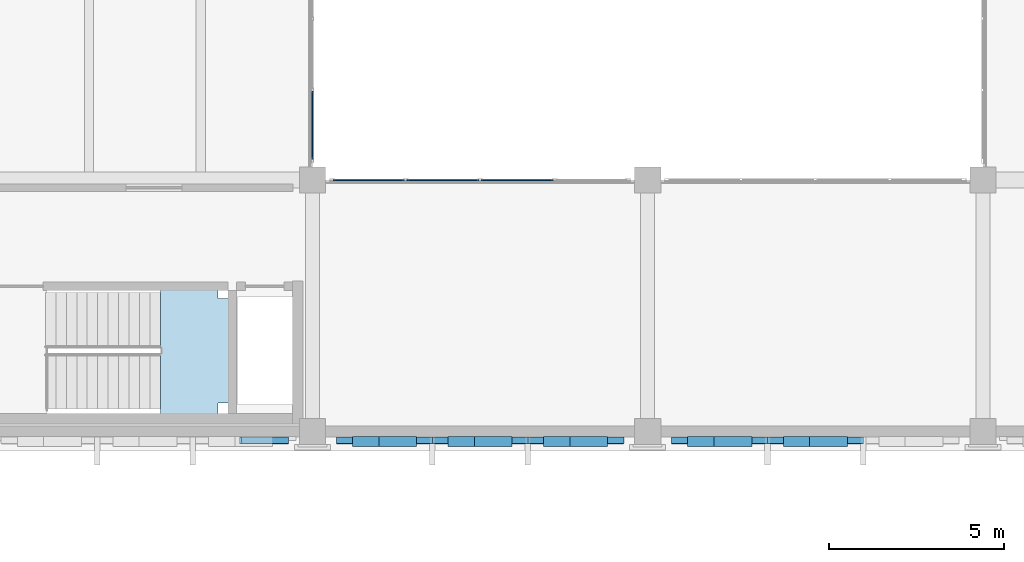
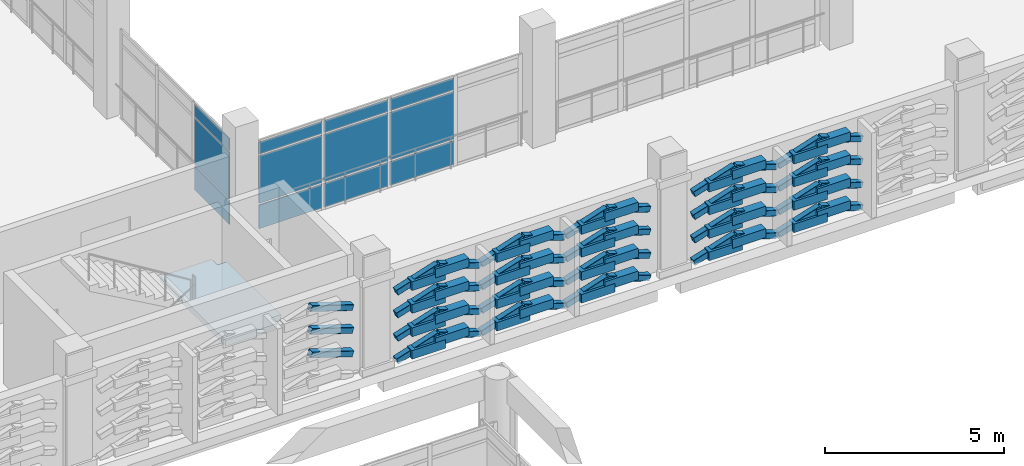
# One storey, part 133 of 180: 95 plates, 1 slab, 3 elements without a shape of their own.
"""IFC4 building model written with IfcOpenShell, lengths in metres."""

from ifc_helpers import new_model, si_unit, direction, frame, origin, origin_2d, place, context, subcontext, project, spatial, polyline, rectangle, hollow_rectangle, outline, extrude, material, layer, layer_set, material_profile, profile_set, type_object, element, aggregate, save


model = new_model("IFC4")

# Units and contexts
model_context = context("Model", 3, precision=1e-05, world=origin(), true_north=direction((0.0, 1.0)))
body_context = subcontext(model_context, "Body", "Model", "MODEL_VIEW")
ifc_project = project(units=[si_unit("LENGTHUNIT", "METRE"), si_unit("AREAUNIT", "SQUARE_METRE"), si_unit("VOLUMEUNIT", "CUBIC_METRE"), si_unit("PLANEANGLEUNIT", "RADIAN"), si_unit("MASSUNIT", "GRAM", prefix="KILO")], contexts=[model_context])

# Site, building, storey
site_placement = place(None, origin())
site = spatial("IfcSite", under=ifc_project, at=site_placement, CompositionType="ELEMENT")
building_placement = place(site_placement, origin())
building = spatial("IfcBuilding", under=site, at=building_placement, Name="Asteropetra Specialist Clinic", CompositionType="ELEMENT")
storey_placement = place(building_placement, frame((0.0, 0.0, 4.419921875)))
storey = spatial("IfcBuildingStorey", under=building, at=storey_placement, Name="L01", CompositionType="ELEMENT", Elevation=4.419921875)

# Plates
ifc_material_1 = material(Name="Chevron emerald aluminium 6063-T6", Category="aluminium")
ifc_material_profile = material_profile(ifc_material_1, hollow_rectangle(XDim=0.199951171875, YDim=0.199951171875, WallThickness=0.010009765625, InnerFilletRadius=0.008056640625, OuterFilletRadius=0.01611328125, at=origin_2d()), Name="SHS 200x200x10.0")
ifc_profile_set = profile_set([ifc_material_profile], Name="Chevron emerald aluminium 6063-T6")
plate_type_1 = type_object("IfcPlateType", Name="CHV-RIB-200", PredefinedType="SHEET", material=ifc_profile_set)
for number, where, z_axis, x_axis, name in (
    (1, (45.936767578125, 69.347900390625, 1.25146484375), (0.952426149832, 0.0, -0.304769468807), (0.0, 1.0, 0.0), "Chevron Facade Screen Fin CVR-0502"),
    (2, (45.936767578125, 69.347900390625, 2.051513671875), (0.952426149832, 0.0, -0.304769468807), (0.0, 1.0, 0.0), "Chevron Facade Screen Fin CVR-0504"),
    (3, (45.936767578125, 69.347900390625, 2.83154296875), (0.952426149832, 0.0, -0.304769468807), (0.0, 1.0, 0.0), "Chevron Facade Screen Fin CVR-0506"),
    (4, (48.715087890625, 69.347900390625, 0.050048828125), (0.952426149832, 0.0, 0.304769468807), (0.0, 1.0, 0.0), "Chevron Facade Screen Fin CVR-0523"),
):
    element("IfcPlate", number, at=place(storey_placement, frame(where, z_axis=z_axis, x_axis=x_axis)), inside=storey, type_object=plate_type_1, Name=name, PredefinedType="SHEET", context=body_context, shape_type="SweptSolid", body=[
        extrude(hollow_rectangle(XDim=0.199951171875, YDim=0.199951171875, WallThickness=0.010009765625, InnerFilletRadius=0.008056640625, OuterFilletRadius=0.01611328125, at=origin_2d()), origin(), (0.0, 0.0, 1.0), 1.41552734375),
    ])
plate_1_placement = place(storey_placement, frame((50.063232421875, 69.347900390625, 0.4814453125), z_axis=(0.95244216645, 0.0, -0.304719411211), x_axis=(0.0, 1.0, 0.0)))
element("IfcPlate", 5, at=plate_1_placement, inside=storey, type_object=plate_type_1, Name="Chevron Facade Screen Fin CVR-0524", PredefinedType="SHEET", context=body_context, shape_type="SweptSolid", body=[
    extrude(hollow_rectangle(XDim=0.199951171875, YDim=0.199951171875, WallThickness=0.010009765625, InnerFilletRadius=0.008056640625, OuterFilletRadius=0.01611328125, at=origin_2d()), origin(), (0.0, 0.0, 1.0), 1.415771484375),
])
plate_2_placement = place(storey_placement, frame((48.715087890625, 69.347900390625, 0.820068359375), z_axis=(0.952426149832, 0.0, 0.304769468807), x_axis=(0.0, 1.0, 0.0)))
element("IfcPlate", 6, at=plate_2_placement, inside=storey, type_object=plate_type_1, Name="Chevron Facade Screen Fin CVR-0525", PredefinedType="SHEET", context=body_context, shape_type="SweptSolid", body=[
    extrude(hollow_rectangle(XDim=0.199951171875, YDim=0.199951171875, WallThickness=0.010009765625, InnerFilletRadius=0.008056640625, OuterFilletRadius=0.01611328125, at=origin_2d()), origin(), (0.0, 0.0, 1.0), 1.41552734375),
])
plate_3_placement = place(storey_placement, frame((50.063232421875, 69.347900390625, 1.25146484375), z_axis=(0.95244216645, 0.0, -0.304719411211), x_axis=(0.0, 1.0, 0.0)))
element("IfcPlate", 7, at=plate_3_placement, inside=storey, type_object=plate_type_1, Name="Chevron Facade Screen Fin CVR-0526", PredefinedType="SHEET", context=body_context, shape_type="SweptSolid", body=[
    extrude(hollow_rectangle(XDim=0.199951171875, YDim=0.199951171875, WallThickness=0.010009765625, InnerFilletRadius=0.008056640625, OuterFilletRadius=0.01611328125, at=origin_2d()), origin(), (0.0, 0.0, 1.0), 1.415771484375),
])
plate_4_placement = place(storey_placement, frame((48.715087890625, 69.347900390625, 1.6201171875), z_axis=(0.952426149832, 0.0, 0.304769468807), x_axis=(0.0, 1.0, 0.0)))
element("IfcPlate", 8, at=plate_4_placement, inside=storey, type_object=plate_type_1, Name="Chevron Facade Screen Fin CVR-0527", PredefinedType="SHEET", context=body_context, shape_type="SweptSolid", body=[
    extrude(hollow_rectangle(XDim=0.199951171875, YDim=0.199951171875, WallThickness=0.010009765625, InnerFilletRadius=0.008056640625, OuterFilletRadius=0.01611328125, at=origin_2d()), origin(), (0.0, 0.0, 1.0), 1.41552734375),
])
plate_5_placement = place(storey_placement, frame((50.063232421875, 69.347900390625, 2.051513671875), z_axis=(0.95244216645, 0.0, -0.304719411211), x_axis=(0.0, 1.0, 0.0)))
element("IfcPlate", 9, at=plate_5_placement, inside=storey, type_object=plate_type_1, Name="Chevron Facade Screen Fin CVR-0528", PredefinedType="SHEET", context=body_context, shape_type="SweptSolid", body=[
    extrude(hollow_rectangle(XDim=0.199951171875, YDim=0.199951171875, WallThickness=0.010009765625, InnerFilletRadius=0.008056640625, OuterFilletRadius=0.01611328125, at=origin_2d()), origin(), (0.0, 0.0, 1.0), 1.415771484375),
])
plate_6_placement = place(storey_placement, frame((48.715087890625, 69.347900390625, 2.400146484375), z_axis=(0.952426149832, 0.0, 0.304769468807), x_axis=(0.0, 1.0, 0.0)))
element("IfcPlate", 10, at=plate_6_placement, inside=storey, type_object=plate_type_1, Name="Chevron Facade Screen Fin CVR-0529", PredefinedType="SHEET", context=body_context, shape_type="SweptSolid", body=[
    extrude(hollow_rectangle(XDim=0.199951171875, YDim=0.199951171875, WallThickness=0.010009765625, InnerFilletRadius=0.008056640625, OuterFilletRadius=0.01611328125, at=origin_2d()), origin(), (0.0, 0.0, 1.0), 1.41552734375),
])
for number, where, z_axis, x_axis, name in (
    (11, (50.063232421875, 69.347900390625, 2.83154296875), (0.95244216645, 0.0, -0.304719411211), (0.0, 1.0, 0.0), "Chevron Facade Screen Fin CVR-0530"),
    (12, (51.45166015625, 69.347900390625, 0.050048828125), (0.95244216645, 0.0, 0.304719411211), (0.0, 1.0, 0.0), "Chevron Facade Screen Fin CVR-0531"),
):
    element("IfcPlate", number, at=place(storey_placement, frame(where, z_axis=z_axis, x_axis=x_axis)), inside=storey, type_object=plate_type_1, Name=name, PredefinedType="SHEET", context=body_context, shape_type="SweptSolid", body=[
        extrude(hollow_rectangle(XDim=0.199951171875, YDim=0.199951171875, WallThickness=0.010009765625, InnerFilletRadius=0.008056640625, OuterFilletRadius=0.01611328125, at=origin_2d()), origin(), (0.0, 0.0, 1.0), 1.415771484375),
    ])
plate_7_placement = place(storey_placement, frame((52.800048828125, 69.347900390625, 0.4814453125), z_axis=(0.952426149832, 0.0, -0.304769468807), x_axis=(0.0, 1.0, 0.0)))
element("IfcPlate", 13, at=plate_7_placement, inside=storey, type_object=plate_type_1, Name="Chevron Facade Screen Fin CVR-0532", PredefinedType="SHEET", context=body_context, shape_type="SweptSolid", body=[
    extrude(hollow_rectangle(XDim=0.199951171875, YDim=0.199951171875, WallThickness=0.010009765625, InnerFilletRadius=0.008056640625, OuterFilletRadius=0.01611328125, at=origin_2d()), origin(), (0.0, 0.0, 1.0), 1.41552734375),
])
plate_8_placement = place(storey_placement, frame((51.45166015625, 69.347900390625, 0.820068359375), z_axis=(0.95244216645, 0.0, 0.304719411211), x_axis=(0.0, 1.0, 0.0)))
element("IfcPlate", 14, at=plate_8_placement, inside=storey, type_object=plate_type_1, Name="Chevron Facade Screen Fin CVR-0533", PredefinedType="SHEET", context=body_context, shape_type="SweptSolid", body=[
    extrude(hollow_rectangle(XDim=0.199951171875, YDim=0.199951171875, WallThickness=0.010009765625, InnerFilletRadius=0.008056640625, OuterFilletRadius=0.01611328125, at=origin_2d()), origin(), (0.0, 0.0, 1.0), 1.415771484375),
])
plate_9_placement = place(storey_placement, frame((52.800048828125, 69.347900390625, 1.25146484375), z_axis=(0.952426149832, 0.0, -0.304769468807), x_axis=(0.0, 1.0, 0.0)))
element("IfcPlate", 15, at=plate_9_placement, inside=storey, type_object=plate_type_1, Name="Chevron Facade Screen Fin CVR-0534", PredefinedType="SHEET", context=body_context, shape_type="SweptSolid", body=[
    extrude(hollow_rectangle(XDim=0.199951171875, YDim=0.199951171875, WallThickness=0.010009765625, InnerFilletRadius=0.008056640625, OuterFilletRadius=0.01611328125, at=origin_2d()), origin(), (0.0, 0.0, 1.0), 1.41552734375),
])
plate_10_placement = place(storey_placement, frame((51.45166015625, 69.347900390625, 1.6201171875), z_axis=(0.95244216645, 0.0, 0.304719411211), x_axis=(0.0, 1.0, 0.0)))
element("IfcPlate", 16, at=plate_10_placement, inside=storey, type_object=plate_type_1, Name="Chevron Facade Screen Fin CVR-0535", PredefinedType="SHEET", context=body_context, shape_type="SweptSolid", body=[
    extrude(hollow_rectangle(XDim=0.199951171875, YDim=0.199951171875, WallThickness=0.010009765625, InnerFilletRadius=0.008056640625, OuterFilletRadius=0.01611328125, at=origin_2d()), origin(), (0.0, 0.0, 1.0), 1.415771484375),
])
plate_11_placement = place(storey_placement, frame((52.800048828125, 69.347900390625, 2.051513671875), z_axis=(0.952426149832, 0.0, -0.304769468807), x_axis=(0.0, 1.0, 0.0)))
element("IfcPlate", 17, at=plate_11_placement, inside=storey, type_object=plate_type_1, Name="Chevron Facade Screen Fin CVR-0536", PredefinedType="SHEET", context=body_context, shape_type="SweptSolid", body=[
    extrude(hollow_rectangle(XDim=0.199951171875, YDim=0.199951171875, WallThickness=0.010009765625, InnerFilletRadius=0.008056640625, OuterFilletRadius=0.01611328125, at=origin_2d()), origin(), (0.0, 0.0, 1.0), 1.41552734375),
])
plate_12_placement = place(storey_placement, frame((51.45166015625, 69.347900390625, 2.400146484375), z_axis=(0.95244216645, 0.0, 0.304719411211), x_axis=(0.0, 1.0, 0.0)))
element("IfcPlate", 18, at=plate_12_placement, inside=storey, type_object=plate_type_1, Name="Chevron Facade Screen Fin CVR-0537", PredefinedType="SHEET", context=body_context, shape_type="SweptSolid", body=[
    extrude(hollow_rectangle(XDim=0.199951171875, YDim=0.199951171875, WallThickness=0.010009765625, InnerFilletRadius=0.008056640625, OuterFilletRadius=0.01611328125, at=origin_2d()), origin(), (0.0, 0.0, 1.0), 1.415771484375),
])
plate_13_placement = place(storey_placement, frame((52.800048828125, 69.347900390625, 2.83154296875), z_axis=(0.952426149832, 0.0, -0.304769468807), x_axis=(0.0, 1.0, 0.0)))
element("IfcPlate", 19, at=plate_13_placement, inside=storey, type_object=plate_type_1, Name="Chevron Facade Screen Fin CVR-0538", PredefinedType="SHEET", context=body_context, shape_type="SweptSolid", body=[
    extrude(hollow_rectangle(XDim=0.199951171875, YDim=0.199951171875, WallThickness=0.010009765625, InnerFilletRadius=0.008056640625, OuterFilletRadius=0.01611328125, at=origin_2d()), origin(), (0.0, 0.0, 1.0), 1.41552734375),
])
for number, where, z_axis, x_axis, name in (
    (20, (54.188232421875, 69.347900390625, 0.050048828125), (0.95244216645, 0.0, 0.304719411211), (0.0, 1.0, 0.0), "Chevron Facade Screen Fin CVR-0539"),
    (21, (55.53662109375, 69.347900390625, 0.4814453125), (0.95244216645, 0.0, -0.304719411211), (0.0, 1.0, 0.0), "Chevron Facade Screen Fin CVR-0540"),
    (22, (54.188232421875, 69.347900390625, 0.820068359375), (0.95244216645, 0.0, 0.304719411211), (0.0, 1.0, 0.0), "Chevron Facade Screen Fin CVR-0541"),
    (23, (55.53662109375, 69.347900390625, 1.25146484375), (0.95244216645, 0.0, -0.304719411211), (0.0, 1.0, 0.0), "Chevron Facade Screen Fin CVR-0542"),
    (24, (54.188232421875, 69.347900390625, 1.6201171875), (0.95244216645, 0.0, 0.304719411211), (0.0, 1.0, 0.0), "Chevron Facade Screen Fin CVR-0543"),
    (25, (55.53662109375, 69.347900390625, 2.051513671875), (0.95244216645, 0.0, -0.304719411211), (0.0, 1.0, 0.0), "Chevron Facade Screen Fin CVR-0544"),
    (26, (54.188232421875, 69.347900390625, 2.400146484375), (0.95244216645, 0.0, 0.304719411211), (0.0, 1.0, 0.0), "Chevron Facade Screen Fin CVR-0545"),
    (27, (55.53662109375, 69.347900390625, 2.83154296875), (0.95244216645, 0.0, -0.304719411211), (0.0, 1.0, 0.0), "Chevron Facade Screen Fin CVR-0546"),
    (28, (58.31494140625, 69.347900390625, 0.050048828125), (0.95244216645, 0.0, 0.304719411211), (0.0, 1.0, 0.0), "Chevron Facade Screen Fin CVR-0571"),
    (29, (59.663330078125, 69.347900390625, 0.4814453125), (0.95244216645, 0.0, -0.304719411211), (0.0, 1.0, 0.0), "Chevron Facade Screen Fin CVR-0572"),
    (30, (58.31494140625, 69.347900390625, 0.820068359375), (0.95244216645, 0.0, 0.304719411211), (0.0, 1.0, 0.0), "Chevron Facade Screen Fin CVR-0573"),
    (31, (59.663330078125, 69.347900390625, 1.25146484375), (0.95244216645, 0.0, -0.304719411211), (0.0, 1.0, 0.0), "Chevron Facade Screen Fin CVR-0574"),
    (32, (58.31494140625, 69.347900390625, 1.6201171875), (0.95244216645, 0.0, 0.304719411211), (0.0, 1.0, 0.0), "Chevron Facade Screen Fin CVR-0575"),
    (33, (59.663330078125, 69.347900390625, 2.051513671875), (0.95244216645, 0.0, -0.304719411211), (0.0, 1.0, 0.0), "Chevron Facade Screen Fin CVR-0576"),
    (34, (58.31494140625, 69.347900390625, 2.400146484375), (0.95244216645, 0.0, 0.304719411211), (0.0, 1.0, 0.0), "Chevron Facade Screen Fin CVR-0577"),
    (35, (59.663330078125, 69.347900390625, 2.83154296875), (0.95244216645, 0.0, -0.304719411211), (0.0, 1.0, 0.0), "Chevron Facade Screen Fin CVR-0578"),
):
    element("IfcPlate", number, at=place(storey_placement, frame(where, z_axis=z_axis, x_axis=x_axis)), inside=storey, type_object=plate_type_1, Name=name, PredefinedType="SHEET", context=body_context, shape_type="SweptSolid", body=[
        extrude(hollow_rectangle(XDim=0.199951171875, YDim=0.199951171875, WallThickness=0.010009765625, InnerFilletRadius=0.008056640625, OuterFilletRadius=0.01611328125, at=origin_2d()), origin(), (0.0, 0.0, 1.0), 1.415771484375),
    ])
plate_14_placement = place(storey_placement, frame((61.0517578125, 69.347900390625, 0.050048828125), z_axis=(0.952426149832, 0.0, 0.304769468807), x_axis=(0.0, 1.0, 0.0)))
element("IfcPlate", 36, at=plate_14_placement, inside=storey, type_object=plate_type_1, Name="Chevron Facade Screen Fin CVR-0579", PredefinedType="SHEET", context=body_context, shape_type="SweptSolid", body=[
    extrude(hollow_rectangle(XDim=0.199951171875, YDim=0.199951171875, WallThickness=0.010009765625, InnerFilletRadius=0.008056640625, OuterFilletRadius=0.01611328125, at=origin_2d()), origin(), (0.0, 0.0, 1.0), 1.41552734375),
])
plate_15_placement = place(storey_placement, frame((62.39990234375, 69.347900390625, 0.4814453125), z_axis=(0.95244216645, 0.0, -0.304719411211), x_axis=(0.0, 1.0, 0.0)))
element("IfcPlate", 37, at=plate_15_placement, inside=storey, type_object=plate_type_1, Name="Chevron Facade Screen Fin CVR-0580", PredefinedType="SHEET", context=body_context, shape_type="SweptSolid", body=[
    extrude(hollow_rectangle(XDim=0.199951171875, YDim=0.199951171875, WallThickness=0.010009765625, InnerFilletRadius=0.008056640625, OuterFilletRadius=0.01611328125, at=origin_2d()), origin(), (0.0, 0.0, 1.0), 1.415771484375),
])
plate_16_placement = place(storey_placement, frame((61.0517578125, 69.347900390625, 0.820068359375), z_axis=(0.952426149832, 0.0, 0.304769468807), x_axis=(0.0, 1.0, 0.0)))
element("IfcPlate", 38, at=plate_16_placement, inside=storey, type_object=plate_type_1, Name="Chevron Facade Screen Fin CVR-0581", PredefinedType="SHEET", context=body_context, shape_type="SweptSolid", body=[
    extrude(hollow_rectangle(XDim=0.199951171875, YDim=0.199951171875, WallThickness=0.010009765625, InnerFilletRadius=0.008056640625, OuterFilletRadius=0.01611328125, at=origin_2d()), origin(), (0.0, 0.0, 1.0), 1.41552734375),
])
plate_17_placement = place(storey_placement, frame((62.39990234375, 69.347900390625, 1.25146484375), z_axis=(0.95244216645, 0.0, -0.304719411211), x_axis=(0.0, 1.0, 0.0)))
element("IfcPlate", 39, at=plate_17_placement, inside=storey, type_object=plate_type_1, Name="Chevron Facade Screen Fin CVR-0582", PredefinedType="SHEET", context=body_context, shape_type="SweptSolid", body=[
    extrude(hollow_rectangle(XDim=0.199951171875, YDim=0.199951171875, WallThickness=0.010009765625, InnerFilletRadius=0.008056640625, OuterFilletRadius=0.01611328125, at=origin_2d()), origin(), (0.0, 0.0, 1.0), 1.415771484375),
])
plate_18_placement = place(storey_placement, frame((61.0517578125, 69.347900390625, 1.6201171875), z_axis=(0.952426149832, 0.0, 0.304769468807), x_axis=(0.0, 1.0, 0.0)))
element("IfcPlate", 40, at=plate_18_placement, inside=storey, type_object=plate_type_1, Name="Chevron Facade Screen Fin CVR-0583", PredefinedType="SHEET", context=body_context, shape_type="SweptSolid", body=[
    extrude(hollow_rectangle(XDim=0.199951171875, YDim=0.199951171875, WallThickness=0.010009765625, InnerFilletRadius=0.008056640625, OuterFilletRadius=0.01611328125, at=origin_2d()), origin(), (0.0, 0.0, 1.0), 1.41552734375),
])
plate_19_placement = place(storey_placement, frame((62.39990234375, 69.347900390625, 2.051513671875), z_axis=(0.95244216645, 0.0, -0.304719411211), x_axis=(0.0, 1.0, 0.0)))
element("IfcPlate", 41, at=plate_19_placement, inside=storey, type_object=plate_type_1, Name="Chevron Facade Screen Fin CVR-0584", PredefinedType="SHEET", context=body_context, shape_type="SweptSolid", body=[
    extrude(hollow_rectangle(XDim=0.199951171875, YDim=0.199951171875, WallThickness=0.010009765625, InnerFilletRadius=0.008056640625, OuterFilletRadius=0.01611328125, at=origin_2d()), origin(), (0.0, 0.0, 1.0), 1.415771484375),
])
plate_20_placement = place(storey_placement, frame((61.0517578125, 69.347900390625, 2.400146484375), z_axis=(0.952426149832, 0.0, 0.304769468807), x_axis=(0.0, 1.0, 0.0)))
element("IfcPlate", 42, at=plate_20_placement, inside=storey, type_object=plate_type_1, Name="Chevron Facade Screen Fin CVR-0585", PredefinedType="SHEET", context=body_context, shape_type="SweptSolid", body=[
    extrude(hollow_rectangle(XDim=0.199951171875, YDim=0.199951171875, WallThickness=0.010009765625, InnerFilletRadius=0.008056640625, OuterFilletRadius=0.01611328125, at=origin_2d()), origin(), (0.0, 0.0, 1.0), 1.41552734375),
])
plate_21_placement = place(storey_placement, frame((62.39990234375, 69.347900390625, 2.83154296875), z_axis=(0.95244216645, 0.0, -0.304719411211), x_axis=(0.0, 1.0, 0.0)))
element("IfcPlate", 43, at=plate_21_placement, inside=storey, type_object=plate_type_1, Name="Chevron Facade Screen Fin CVR-0586", PredefinedType="SHEET", context=body_context, shape_type="SweptSolid", body=[
    extrude(hollow_rectangle(XDim=0.199951171875, YDim=0.199951171875, WallThickness=0.010009765625, InnerFilletRadius=0.008056640625, OuterFilletRadius=0.01611328125, at=origin_2d()), origin(), (0.0, 0.0, 1.0), 1.415771484375),
])

# Curtain wall, plates
ifc_material_2 = material(Name="Aluminium and low-E glass", Category="aluminium")
ifc_layer_1 = layer(ifc_material_2, 0.135009765625)
ifc_layer_set_1 = layer_set([ifc_layer_1], Name="Aluminium and low-E glass")
curtain_wall_type_1 = type_object("IfcCurtainWallType", Name="CW-SYS-03", PredefinedType="USERDEFINED", material=ifc_layer_set_1)
curtain_wall_1_placement = place(storey_placement, origin())
curtain_wall_1 = element("IfcCurtainWall", 44, at=curtain_wall_1_placement, inside=storey, type_object=curtain_wall_type_1, Name="Curtain Wall CW-025", ObjectType="UNITISED CURTAIN WALL", PredefinedType="USERDEFINED")
ifc_material_3 = material(Name="Low-E acoustic double glazing", Category="glass")
ifc_layer_2 = layer(ifc_material_3, 0.031982421875)
ifc_layer_set_2 = layer_set([ifc_layer_2], Name="Low-E acoustic double glazing")
plate_type_2 = type_object("IfcPlateType", Name="CWP-GLZ-32", PredefinedType="CURTAIN_PANEL", material=ifc_layer_set_2)
plate_22_placement = place(storey_placement, frame((49.617431640625, 76.800048828125, 0.06494140625), z_axis=(0.0, 0.0, 1.0), x_axis=(1.0, 0.0, 0.0)))
plate_22 = element("IfcPlate", 45, at=plate_22_placement, type_object=plate_type_2, Name="CW-025 panel 1.1", PredefinedType="CURTAIN_PANEL", context=body_context, shape_type="SweptSolid", body=[
    extrude(rectangle(XDim=2.034912109375, YDim=0.031982421875, at=origin_2d()), origin(), (0.0, 0.0, 1.0), 0.802490234375),
])
plate_23_placement = place(storey_placement, frame((49.617431640625, 76.800048828125, 0.9326171875), z_axis=(0.0, 0.0, 1.0), x_axis=(1.0, 0.0, 0.0)))
plate_23 = element("IfcPlate", 46, at=plate_23_placement, type_object=plate_type_2, Name="CW-025 panel 1.2", PredefinedType="CURTAIN_PANEL", context=body_context, shape_type="SweptSolid", body=[
    extrude(rectangle(XDim=2.034912109375, YDim=0.031982421875, at=origin_2d()), origin(), (0.0, 0.0, 1.0), 1.614990234375),
])
plate_24_placement = place(storey_placement, frame((49.617431640625, 76.800048828125, 2.6123046875), z_axis=(0.0, 0.0, 1.0), x_axis=(1.0, 0.0, 0.0)))
plate_24 = element("IfcPlate", 47, at=plate_24_placement, type_object=plate_type_2, Name="CW-025 panel 1.3", PredefinedType="CURTAIN_PANEL", context=body_context, shape_type="SweptSolid", body=[
    extrude(rectangle(XDim=2.034912109375, YDim=0.031982421875, at=origin_2d()), origin(), (0.0, 0.0, 1.0), 0.402587890625),
])
plate_25_placement = place(storey_placement, frame((51.733642578125, 76.800048828125, 0.06494140625), z_axis=(0.0, 0.0, 1.0), x_axis=(1.0, 0.0, 0.0)))
plate_25 = element("IfcPlate", 48, at=plate_25_placement, type_object=plate_type_2, Name="CW-025 panel 2.1", PredefinedType="CURTAIN_PANEL", context=body_context, shape_type="SweptSolid", body=[
    extrude(rectangle(XDim=2.0673828125, YDim=0.031982421875, at=origin_2d()), origin(), (0.0, 0.0, 1.0), 0.802490234375),
])
plate_26_placement = place(storey_placement, frame((51.733642578125, 76.800048828125, 0.9326171875), z_axis=(0.0, 0.0, 1.0), x_axis=(1.0, 0.0, 0.0)))
plate_26 = element("IfcPlate", 49, at=plate_26_placement, type_object=plate_type_2, Name="CW-025 panel 2.2", PredefinedType="CURTAIN_PANEL", context=body_context, shape_type="SweptSolid", body=[
    extrude(rectangle(XDim=2.0673828125, YDim=0.031982421875, at=origin_2d()), origin(), (0.0, 0.0, 1.0), 1.614990234375),
])
plate_27_placement = place(storey_placement, frame((51.733642578125, 76.800048828125, 2.6123046875), z_axis=(0.0, 0.0, 1.0), x_axis=(1.0, 0.0, 0.0)))
plate_27 = element("IfcPlate", 50, at=plate_27_placement, type_object=plate_type_2, Name="CW-025 panel 2.3", PredefinedType="CURTAIN_PANEL", context=body_context, shape_type="SweptSolid", body=[
    extrude(rectangle(XDim=2.0673828125, YDim=0.031982421875, at=origin_2d()), origin(), (0.0, 0.0, 1.0), 0.402587890625),
])
plate_28_placement = place(storey_placement, frame((53.8662109375, 76.800048828125, 0.06494140625), z_axis=(0.0, 0.0, 1.0), x_axis=(1.0, 0.0, 0.0)))
plate_28 = element("IfcPlate", 51, at=plate_28_placement, type_object=plate_type_2, Name="CW-025 panel 3.1", PredefinedType="CURTAIN_PANEL", context=body_context, shape_type="SweptSolid", body=[
    extrude(rectangle(XDim=2.0673828125, YDim=0.031982421875, at=origin_2d()), origin(), (0.0, 0.0, 1.0), 0.802490234375),
])
plate_29_placement = place(storey_placement, frame((53.8662109375, 76.800048828125, 0.9326171875), z_axis=(0.0, 0.0, 1.0), x_axis=(1.0, 0.0, 0.0)))
plate_29 = element("IfcPlate", 52, at=plate_29_placement, type_object=plate_type_2, Name="CW-025 panel 3.2", PredefinedType="CURTAIN_PANEL", context=body_context, shape_type="SweptSolid", body=[
    extrude(rectangle(XDim=2.0673828125, YDim=0.031982421875, at=origin_2d()), origin(), (0.0, 0.0, 1.0), 1.614990234375),
])
plate_30_placement = place(storey_placement, frame((53.8662109375, 76.800048828125, 2.6123046875), z_axis=(0.0, 0.0, 1.0), x_axis=(1.0, 0.0, 0.0)))
plate_30 = element("IfcPlate", 53, at=plate_30_placement, type_object=plate_type_2, Name="CW-025 panel 3.3", PredefinedType="CURTAIN_PANEL", context=body_context, shape_type="SweptSolid", body=[
    extrude(rectangle(XDim=2.0673828125, YDim=0.031982421875, at=origin_2d()), origin(), (0.0, 0.0, 1.0), 0.402587890625),
])
aggregate(curtain_wall_1, [plate_22, plate_23, plate_24, plate_25, plate_26, plate_27, plate_28, plate_29, plate_30])

ifc_material_4 = material(Name="Aluminium and low-E glass", Category="aluminium")
ifc_layer_3 = layer(ifc_material_4, 0.14990234375)
ifc_layer_set_3 = layer_set([ifc_layer_3], Name="Aluminium and low-E glass")
curtain_wall_type_2 = type_object("IfcCurtainWallType", Name="CW-SYS-05", PredefinedType="USERDEFINED", material=ifc_layer_set_3)
curtain_wall_2_placement = place(storey_placement, origin())
curtain_wall_2 = element("IfcCurtainWall", 54, at=curtain_wall_2_placement, inside=storey, type_object=curtain_wall_type_2, Name="Curtain Wall CW-029", ObjectType="UNITISED CURTAIN WALL", PredefinedType="USERDEFINED")
plate_31_placement = place(storey_placement, frame((48.0, 78.37158203125, 0.06005859375), z_axis=(0.0, 0.0, 1.0), x_axis=(0.0, -1.0, 0.0)))
plate_31 = element("IfcPlate", 55, at=plate_31_placement, type_object=plate_type_2, Name="CW-029 panel 3.1", PredefinedType="CURTAIN_PANEL", context=body_context, shape_type="SweptSolid", body=[
    extrude(rectangle(XDim=1.953369140625, YDim=0.031982421875, at=origin_2d()), origin(), (0.0, 0.0, 1.0), 0.81005859375),
])
plate_32_placement = place(storey_placement, frame((48.0, 78.37158203125, 0.93017578125), z_axis=(0.0, 0.0, 1.0), x_axis=(0.0, -1.0, 0.0)))
plate_32 = element("IfcPlate", 56, at=plate_32_placement, type_object=plate_type_2, Name="CW-029 panel 3.2", PredefinedType="CURTAIN_PANEL", context=body_context, shape_type="SweptSolid", body=[
    extrude(rectangle(XDim=1.953369140625, YDim=0.031982421875, at=origin_2d()), origin(), (0.0, 0.0, 1.0), 1.590087890625),
])
plate_33_placement = place(storey_placement, frame((48.0, 78.37158203125, 2.580078125), z_axis=(0.0, 0.0, 1.0), x_axis=(0.0, -1.0, 0.0)))
plate_33 = element("IfcPlate", 57, at=plate_33_placement, type_object=plate_type_2, Name="CW-029 panel 3.3", PredefinedType="CURTAIN_PANEL", context=body_context, shape_type="SweptSolid", body=[
    extrude(rectangle(XDim=1.953369140625, YDim=0.031982421875, at=origin_2d()), origin(), (0.0, 0.0, 1.0), 0.409912109375),
])
aggregate(curtain_wall_2, [plate_31, plate_32, plate_33])

# Plates
ifc_material_5 = material(Name="Aluminium 6063-T6", Category="aluminium")
ifc_layer_4 = layer(ifc_material_5, 0.139892578125)
ifc_layer_set_4 = layer_set([ifc_layer_4], Name="Aluminium 6063-T6")
plate_type_3 = type_object("IfcPlateType", Name="PLT-CHV-TILE", PredefinedType="SHEET", material=ifc_layer_set_4)
for number, where, z_axis, x_axis, name in (
    (58, (49.685791015625, 69.31005859375, 0.029296875), (0.0, 0.0, 1.0), (1.0, 0.0, 0.0), "Chevron Ceramic Panel CPT-0161"),
    (59, (50.44091796875, 69.31005859375, 0.193359375), (0.0, 0.0, 1.0), (1.0, 0.0, 0.0), "Chevron Ceramic Panel CPT-0162"),
    (60, (49.685791015625, 69.31005859375, 0.79931640625), (0.0, 0.0, 1.0), (1.0, 0.0, 0.0), "Chevron Ceramic Panel CPT-0163"),
    (61, (50.44091796875, 69.31005859375, 0.96337890625), (0.0, 0.0, 1.0), (1.0, 0.0, 0.0), "Chevron Ceramic Panel CPT-0164"),
    (62, (49.685791015625, 69.31005859375, 1.599609375), (0.0, 0.0, 1.0), (1.0, 0.0, 0.0), "Chevron Ceramic Panel CPT-0165"),
    (63, (50.44091796875, 69.31005859375, 1.763671875), (0.0, 0.0, 1.0), (1.0, 0.0, 0.0), "Chevron Ceramic Panel CPT-0166"),
    (64, (49.685791015625, 69.31005859375, 2.37939453125), (0.0, 0.0, 1.0), (1.0, 0.0, 0.0), "Chevron Ceramic Panel CPT-0167"),
    (65, (50.44091796875, 69.31005859375, 2.54345703125), (0.0, 0.0, 1.0), (1.0, 0.0, 0.0), "Chevron Ceramic Panel CPT-0168"),
    (66, (52.422607421875, 69.31005859375, 0.029296875), (0.0, 0.0, 1.0), (1.0, 0.0, 0.0), "Chevron Ceramic Panel CPT-0169"),
    (67, (53.177490234375, 69.31005859375, 0.193359375), (0.0, 0.0, 1.0), (1.0, 0.0, 0.0), "Chevron Ceramic Panel CPT-0170"),
    (68, (52.422607421875, 69.31005859375, 0.79931640625), (0.0, 0.0, 1.0), (1.0, 0.0, 0.0), "Chevron Ceramic Panel CPT-0171"),
    (69, (53.177490234375, 69.31005859375, 0.96337890625), (0.0, 0.0, 1.0), (1.0, 0.0, 0.0), "Chevron Ceramic Panel CPT-0172"),
    (70, (52.422607421875, 69.31005859375, 1.599609375), (0.0, 0.0, 1.0), (1.0, 0.0, 0.0), "Chevron Ceramic Panel CPT-0173"),
    (71, (53.177490234375, 69.31005859375, 1.763671875), (0.0, 0.0, 1.0), (1.0, 0.0, 0.0), "Chevron Ceramic Panel CPT-0174"),
    (72, (52.422607421875, 69.31005859375, 2.37939453125), (0.0, 0.0, 1.0), (1.0, 0.0, 0.0), "Chevron Ceramic Panel CPT-0175"),
    (73, (53.177490234375, 69.31005859375, 2.54345703125), (0.0, 0.0, 1.0), (1.0, 0.0, 0.0), "Chevron Ceramic Panel CPT-0176"),
    (74, (55.1591796875, 69.31005859375, 0.029296875), (0.0, 0.0, 1.0), (1.0, 0.0, 0.0), "Chevron Ceramic Panel CPT-0177"),
    (75, (55.914306640625, 69.31005859375, 0.193359375), (0.0, 0.0, 1.0), (1.0, 0.0, 0.0), "Chevron Ceramic Panel CPT-0178"),
    (76, (55.1591796875, 69.31005859375, 0.79931640625), (0.0, 0.0, 1.0), (1.0, 0.0, 0.0), "Chevron Ceramic Panel CPT-0179"),
    (77, (55.914306640625, 69.31005859375, 0.96337890625), (0.0, 0.0, 1.0), (1.0, 0.0, 0.0), "Chevron Ceramic Panel CPT-0180"),
    (78, (55.1591796875, 69.31005859375, 1.599609375), (0.0, 0.0, 1.0), (1.0, 0.0, 0.0), "Chevron Ceramic Panel CPT-0181"),
    (79, (55.914306640625, 69.31005859375, 1.763671875), (0.0, 0.0, 1.0), (1.0, 0.0, 0.0), "Chevron Ceramic Panel CPT-0182"),
    (80, (55.1591796875, 69.31005859375, 2.37939453125), (0.0, 0.0, 1.0), (1.0, 0.0, 0.0), "Chevron Ceramic Panel CPT-0183"),
    (81, (55.914306640625, 69.31005859375, 2.54345703125), (0.0, 0.0, 1.0), (1.0, 0.0, 0.0), "Chevron Ceramic Panel CPT-0184"),
    (82, (59.285888671875, 69.31005859375, 0.029296875), (0.0, 0.0, 1.0), (1.0, 0.0, 0.0), "Chevron Ceramic Panel CPT-0209"),
    (83, (60.041015625, 69.31005859375, 0.193359375), (0.0, 0.0, 1.0), (1.0, 0.0, 0.0), "Chevron Ceramic Panel CPT-0210"),
    (84, (59.285888671875, 69.31005859375, 0.79931640625), (0.0, 0.0, 1.0), (1.0, 0.0, 0.0), "Chevron Ceramic Panel CPT-0211"),
    (85, (60.041015625, 69.31005859375, 0.96337890625), (0.0, 0.0, 1.0), (1.0, 0.0, 0.0), "Chevron Ceramic Panel CPT-0212"),
    (86, (59.285888671875, 69.31005859375, 1.599609375), (0.0, 0.0, 1.0), (1.0, 0.0, 0.0), "Chevron Ceramic Panel CPT-0213"),
    (87, (60.041015625, 69.31005859375, 1.763671875), (0.0, 0.0, 1.0), (1.0, 0.0, 0.0), "Chevron Ceramic Panel CPT-0214"),
    (88, (59.285888671875, 69.31005859375, 2.37939453125), (0.0, 0.0, 1.0), (1.0, 0.0, 0.0), "Chevron Ceramic Panel CPT-0215"),
    (89, (60.041015625, 69.31005859375, 2.54345703125), (0.0, 0.0, 1.0), (1.0, 0.0, 0.0), "Chevron Ceramic Panel CPT-0216"),
    (90, (62.0224609375, 69.31005859375, 0.029296875), (0.0, 0.0, 1.0), (1.0, 0.0, 0.0), "Chevron Ceramic Panel CPT-0217"),
    (91, (62.777587890625, 69.31005859375, 0.193359375), (0.0, 0.0, 1.0), (1.0, 0.0, 0.0), "Chevron Ceramic Panel CPT-0218"),
    (92, (62.0224609375, 69.31005859375, 0.79931640625), (0.0, 0.0, 1.0), (1.0, 0.0, 0.0), "Chevron Ceramic Panel CPT-0219"),
    (93, (62.777587890625, 69.31005859375, 0.96337890625), (0.0, 0.0, 1.0), (1.0, 0.0, 0.0), "Chevron Ceramic Panel CPT-0220"),
    (94, (62.0224609375, 69.31005859375, 1.599609375), (0.0, 0.0, 1.0), (1.0, 0.0, 0.0), "Chevron Ceramic Panel CPT-0221"),
    (95, (62.777587890625, 69.31005859375, 1.763671875), (0.0, 0.0, 1.0), (1.0, 0.0, 0.0), "Chevron Ceramic Panel CPT-0222"),
    (96, (62.0224609375, 69.31005859375, 2.37939453125), (0.0, 0.0, 1.0), (1.0, 0.0, 0.0), "Chevron Ceramic Panel CPT-0223"),
    (97, (62.777587890625, 69.31005859375, 2.54345703125), (0.0, 0.0, 1.0), (1.0, 0.0, 0.0), "Chevron Ceramic Panel CPT-0224"),
):
    element("IfcPlate", number, at=place(storey_placement, frame(where, z_axis=z_axis, x_axis=x_axis)), inside=storey, type_object=plate_type_3, Name=name, PredefinedType="SHEET", context=body_context, shape_type="SweptSolid", body=[
        extrude(rectangle(XDim=1.0791015625, YDim=0.280029296875, at=origin_2d()), origin(), (0.0, 0.0, 1.0), 0.300048828125),
    ])

# Stair, slab
ifc_material_6 = material(Name="Concrete C35/45", Category="concrete")
stair_type = type_object("IfcStairType", Name="STR-DOG-160", PredefinedType="TWO_STRAIGHT_RUN_STAIR", material=ifc_material_6)
stair_placement = place(storey_placement, origin())
stair = element("IfcStair", 98, at=stair_placement, inside=storey, type_object=stair_type, Name="Type I Stair ST03-L01", PredefinedType="TWO_STRAIGHT_RUN_STAIR")
ifc_material_7 = material(Name="Concrete C35/45", Category="concrete")
ifc_layer_5 = layer(ifc_material_7, 0.199951171875)
ifc_layer_set_5 = layer_set([ifc_layer_5], Name="Concrete C35/45")
slab_type = type_object("IfcSlabType", Name="SLB-LND-200", PredefinedType="LANDING", material=ifc_layer_set_5)
slab_placement = place(storey_placement, frame((0.0, 0.0, 1.840087890625)))
slab = element("IfcSlab", 99, at=slab_placement, type_object=slab_type, Name="ST03-L01 landing 1", PredefinedType="LANDING", context=body_context, shape_type="SweptSolid", body=[
    extrude(outline(polyline([(43.64990234375, 70.090087890625), (45.300048828125, 70.090087890625), (45.300048828125, 70.409912109375), (45.6201171875, 70.409912109375), (45.6201171875, 73.409912109375), (45.300048828125, 73.409912109375), (45.300048828125, 73.72998046875), (43.64990234375, 73.72998046875), (43.64990234375, 70.090087890625)])), origin(), (0.0, 0.0, 1.0), 0.199951171875),
])
aggregate(stair, [slab])

save(model, "model.ifc")
